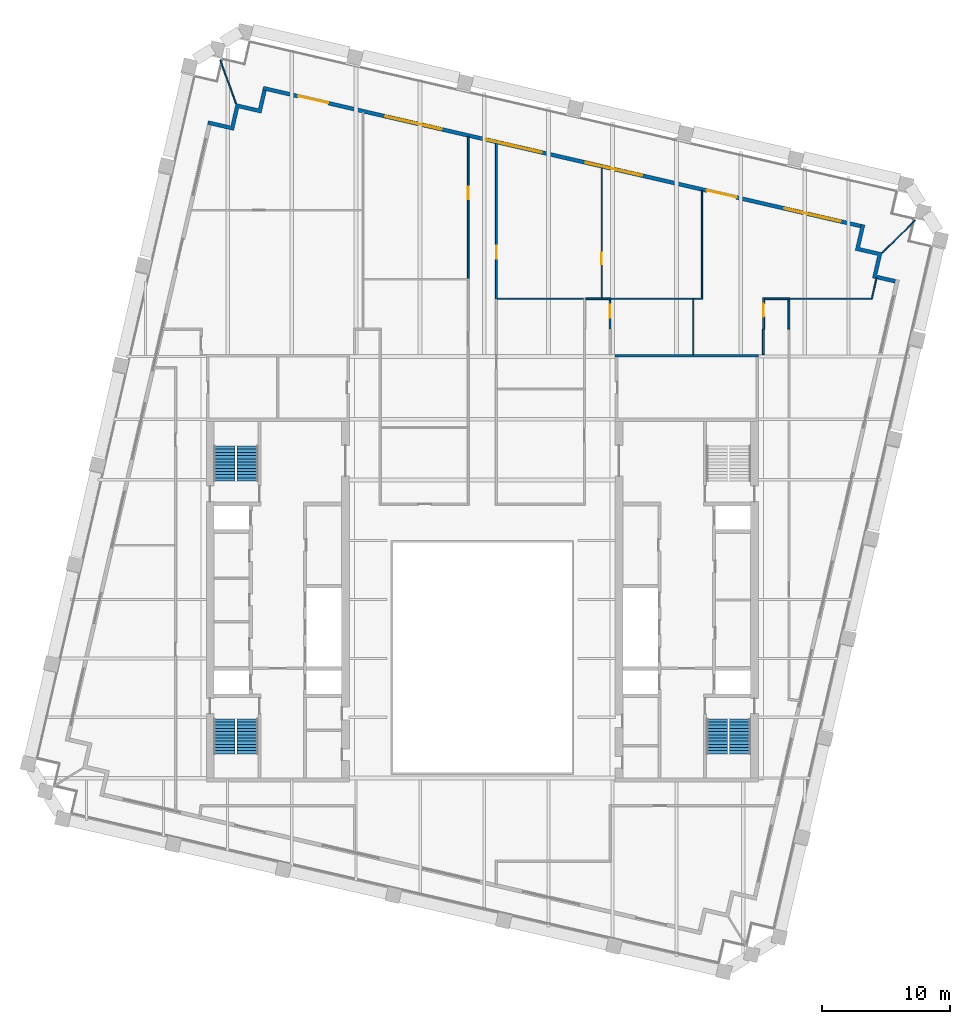
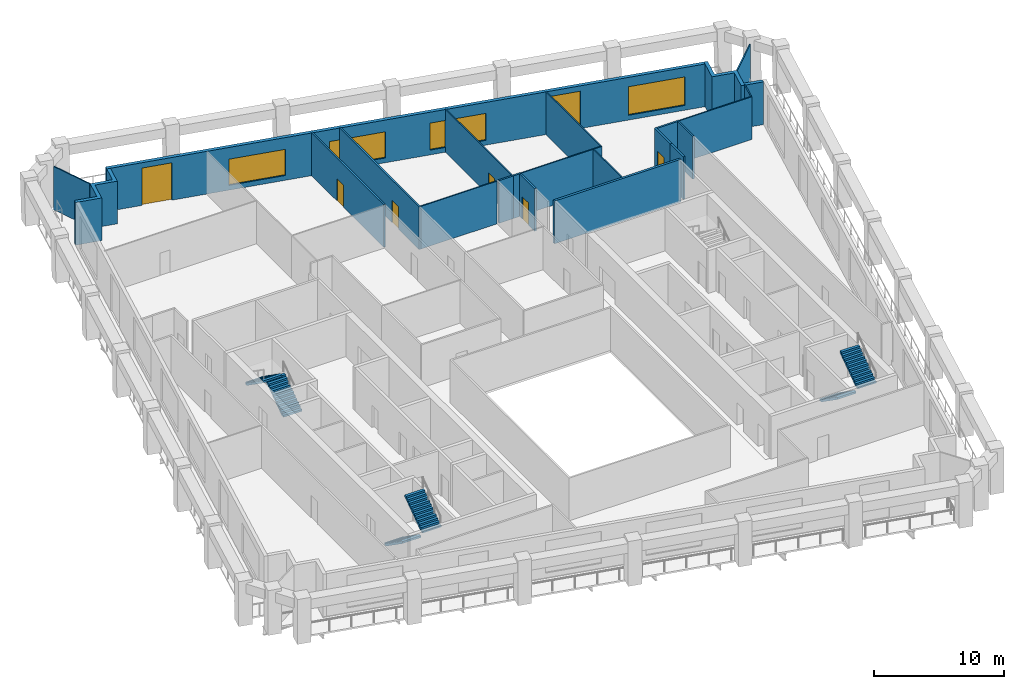
# One storey, part 8 of 10: 23 walls, 7 doors, 6 stair flights, 4 windows, 11 openings, 3 elements without a shape of their own.
"""IFC4 building model written with IfcOpenShell, lengths in metres."""

from ifc_helpers import new_model, si_unit, direction, frame, frame_2d, origin, place, context, subcontext, project, spatial, polyline, rectangle, outline, extrude, material, layer, layer_set, type_object, element, fill, aggregate, save


model = new_model("IFC4")

# Units and contexts
model_context = context("Model", 3, precision=1e-05, world=origin(), true_north=direction((0.0, 1.0)))
body_context = subcontext(model_context, "Body", "Model", "MODEL_VIEW")
ifc_project = project(units=[si_unit("LENGTHUNIT", "METRE"), si_unit("AREAUNIT", "SQUARE_METRE"), si_unit("VOLUMEUNIT", "CUBIC_METRE"), si_unit("PLANEANGLEUNIT", "RADIAN"), si_unit("MASSUNIT", "GRAM", prefix="KILO")], contexts=[model_context])

# Site, building, storey
site_placement = place(None, origin())
site = spatial("IfcSite", under=ifc_project, at=site_placement, CompositionType="ELEMENT")
building_placement = place(site_placement, origin())
building = spatial("IfcBuilding", under=site, at=building_placement, Name="Ogive Exchange Tower", CompositionType="ELEMENT")
storey_placement = place(building_placement, frame((0.0, 0.0, 251.39990234375)))
storey = spatial("IfcBuildingStorey", under=building, at=storey_placement, Name="L54", CompositionType="ELEMENT", Elevation=251.39990234375)

# Wall, opening, door
ifc_material_1 = material(Name="Fire partition EI 60 150")
ifc_layer_1 = layer(ifc_material_1, 0.14990234375)
ifc_layer_set_1 = layer_set([ifc_layer_1], Name="Fire partition EI 60 150")
wall_type_1 = type_object("IfcWallType", Name="Fire partition EI 60 150", PredefinedType="PARTITIONING", material=ifc_layer_set_1)
wall_1_placement = place(storey_placement, frame((-1.10009765625, 36.639892578125, 0.0), z_axis=(0.0, 0.0, 1.0), x_axis=(0.0, 1.0, 0.0)))
wall_1 = element("IfcWall", 1, at=wall_1_placement, inside=storey, type_object=wall_type_1, Name="L54-PWL-026", PredefinedType="PARTITIONING", context=body_context, shape_type="SweptSolid", body=[
    extrude(rectangle(XDim=11.13818359375, YDim=0.14990234375, at=frame_2d((5.569091796875, 0.0))), origin(), (0.0, 0.0, 1.0), 4.0),
])
opening_1_placement = place(wall_1_placement, frame((6.2099609375, 0.0, 0.0)))
opening_1 = element("IfcOpeningElement", 2, at=opening_1_placement, cuts=wall_1, Name="Opening L54-I03", PredefinedType="OPENING", context=body_context, shape_type="SweptSolid", body=[
    extrude(rectangle(XDim=1.0, YDim=2.10009765625, at=frame_2d((0.5, 1.050048828125))), frame((0.0, 0.0849609375, 0.0), z_axis=(0.0, -1.0, 0.0), x_axis=(1.0, 0.0, 0.0)), (0.0, 0.0, 1.0), 0.169921875),
])
ifc_material_2 = material(Name="Fire door FD 30S 1000 x 2100")
door_type_1 = type_object("IfcDoorType", Name="Fire door FD 30S 1000 x 2100", OperationType="NOTDEFINED", PredefinedType="DOOR", material=ifc_material_2)
door_1_placement = place(opening_1_placement, origin())
door_1 = element("IfcDoor", 3, at=door_1_placement, inside=storey, type_object=door_type_1, Name="L54-IDR-003", ObjectType="DT3", OperationType="SINGLE_SWING_RIGHT", OverallHeight=2.10009765625, OverallWidth=1.0, PredefinedType="DOOR", context=body_context, shape_type="SweptSolid", body=[
    extrude(rectangle(XDim=1.0, YDim=2.10009765625, at=frame_2d((0.5, 1.050048828125))), frame((0.0, 0.02490234375, 0.0), z_axis=(0.0, -1.0, 0.0), x_axis=(1.0, 0.0, 0.0)), (0.0, 0.0, 1.0), 0.050048828125),
])
fill(opening_1, door_1)

wall_2_placement = place(storey_placement, frame((1.10009765625, 47.27001953125, 0.0), z_axis=(0.0, 0.0, 1.0), x_axis=(0.0, -1.0, 0.0)))
wall_2 = element("IfcWall", 4, at=wall_2_placement, inside=storey, type_object=wall_type_1, Name="L54-PWL-032", PredefinedType="PARTITIONING", context=body_context, shape_type="SweptSolid", body=[
    extrude(rectangle(XDim=12.25, YDim=0.14990234375, at=frame_2d((6.125, 0.0))), origin(), (0.0, 0.0, 1.0), 4.0),
])
opening_2_placement = place(wall_2_placement, frame((8.050048828125, 0.0, 0.0)))
opening_2 = element("IfcOpeningElement", 5, at=opening_2_placement, cuts=wall_2, Name="Opening L54-I09", PredefinedType="OPENING", context=body_context, shape_type="SweptSolid", body=[
    extrude(rectangle(XDim=1.0, YDim=2.10009765625, at=frame_2d((0.5, 1.050048828125))), frame((0.0, 0.0849609375, 0.0), z_axis=(0.0, -1.0, 0.0), x_axis=(1.0, 0.0, 0.0)), (0.0, 0.0, 1.0), 0.169921875),
])
door_2_placement = place(opening_2_placement, origin())
door_2 = element("IfcDoor", 6, at=door_2_placement, inside=storey, type_object=door_type_1, Name="L54-IDR-009", ObjectType="DT3", OperationType="SINGLE_SWING_LEFT", OverallHeight=2.10009765625, OverallWidth=1.0, PredefinedType="DOOR", context=body_context, shape_type="SweptSolid", body=[
    extrude(rectangle(XDim=1.0, YDim=2.10009765625, at=frame_2d((0.5, 1.050048828125))), frame((0.0, 0.02490234375, 0.0), z_axis=(0.0, -1.0, 0.0), x_axis=(1.0, 0.0, 0.0)), (0.0, 0.0, 1.0), 0.050048828125),
])
fill(opening_2, door_2)

# Walls
wall_3_placement = place(storey_placement, frame((8.0849609375, 35.070068359375, 0.0), z_axis=(0.0, 0.0, 1.0), x_axis=(1.0, 0.0, 0.0)))
element("IfcWall", 7, at=wall_3_placement, inside=storey, type_object=wall_type_1, Name="L54-PWL-037", PredefinedType="PARTITIONING", context=body_context, shape_type="SweptSolid", body=[
    extrude(rectangle(XDim=1.304931640625, YDim=0.14990234375, at=frame_2d((0.65234375, 0.0))), origin(), (0.0, 0.0, 1.0), 4.0),
])
wall_4_placement = place(storey_placement, frame((9.389892578125, 35.070068359375, 0.0), z_axis=(0.0, 0.0, 1.0), x_axis=(1.0, 0.0, 0.0)))
element("IfcWall", 8, at=wall_4_placement, inside=storey, type_object=wall_type_1, Name="L54-PWL-038", PredefinedType="PARTITIONING", context=body_context, shape_type="SweptSolid", body=[
    extrude(rectangle(XDim=0.675048828125, YDim=0.14990234375, at=frame_2d((0.33740234375, 0.0))), origin(), (0.0, 0.0, 1.0), 4.0),
])

# Wall, opening, door
wall_5_placement = place(storey_placement, frame((9.989990234375, 34.9951171875, 0.0), z_axis=(0.0, 0.0, 1.0), x_axis=(0.0, -1.0, 0.0)))
wall_5 = element("IfcWall", 9, at=wall_5_placement, inside=storey, type_object=wall_type_1, Name="L54-PWL-040", PredefinedType="PARTITIONING", context=body_context, shape_type="SweptSolid", body=[
    extrude(rectangle(XDim=2.295166015625, YDim=0.14990234375, at=frame_2d((1.1474609375, 0.0))), origin(), (0.0, 0.0, 1.0), 4.0),
])
opening_3_placement = place(wall_5_placement, frame((0.39501953125, 0.0, 0.0)))
opening_3 = element("IfcOpeningElement", 10, at=opening_3_placement, cuts=wall_5, Name="Opening L54-I11", PredefinedType="OPENING", context=body_context, shape_type="SweptSolid", body=[
    extrude(rectangle(XDim=1.0, YDim=2.10009765625, at=frame_2d((0.5, 1.050048828125))), frame((0.0, 0.0849609375, 0.0), z_axis=(0.0, -1.0, 0.0), x_axis=(1.0, 0.0, 0.0)), (0.0, 0.0, 1.0), 0.169921875),
])
door_3_placement = place(opening_3_placement, origin())
door_3 = element("IfcDoor", 11, at=door_3_placement, inside=storey, type_object=door_type_1, Name="L54-IDR-011", ObjectType="DT3", OperationType="SINGLE_SWING_RIGHT", OverallHeight=2.10009765625, OverallWidth=1.0, PredefinedType="DOOR", context=body_context, shape_type="SweptSolid", body=[
    extrude(rectangle(XDim=1.0, YDim=2.10009765625, at=frame_2d((0.5, 1.050048828125))), frame((0.0, 0.02490234375, 0.0), z_axis=(0.0, -1.0, 0.0), x_axis=(1.0, 0.0, 0.0)), (0.0, 0.0, 1.0), 0.050048828125),
])
fill(opening_3, door_3)

# Wall
wall_6_placement = place(storey_placement, frame((22.0, 30.68994140625, 0.0), z_axis=(0.0, 0.0, 1.0), x_axis=(0.0, 1.0, 0.0)))
element("IfcWall", 12, at=wall_6_placement, inside=storey, type_object=wall_type_1, Name="L54-PWL-048", PredefinedType="PARTITIONING", context=body_context, shape_type="SweptSolid", body=[
    extrude(rectangle(XDim=2.010009765625, YDim=0.14990234375, at=frame_2d((1.0048828125, 0.0))), origin(), (0.0, 0.0, 1.0), 4.0),
])

# Wall, opening, door
wall_7_placement = place(storey_placement, frame((22.010009765625, 32.699951171875, 0.0), z_axis=(0.0, 0.0, 1.0), x_axis=(0.0, 1.0, 0.0)))
wall_7 = element("IfcWall", 13, at=wall_7_placement, inside=storey, type_object=wall_type_1, Name="L54-PWL-049", PredefinedType="PARTITIONING", context=body_context, shape_type="SweptSolid", body=[
    extrude(rectangle(XDim=2.445068359375, YDim=0.14990234375, at=frame_2d((1.22265625, 0.0))), origin(), (0.0, 0.0, 1.0), 4.0),
])
opening_4_placement = place(wall_7_placement, frame((0.969970703125, 0.0, 0.0)))
opening_4 = element("IfcOpeningElement", 14, at=opening_4_placement, cuts=wall_7, Name="Opening L54-I14", PredefinedType="OPENING", context=body_context, shape_type="SweptSolid", body=[
    extrude(rectangle(XDim=1.0, YDim=2.10009765625, at=frame_2d((0.5, 1.050048828125))), frame((0.0, 0.0849609375, 0.0), z_axis=(0.0, -1.0, 0.0), x_axis=(1.0, 0.0, 0.0)), (0.0, 0.0, 1.0), 0.169921875),
])
door_4_placement = place(opening_4_placement, origin())
door_4 = element("IfcDoor", 15, at=door_4_placement, inside=storey, type_object=door_type_1, Name="L54-IDR-014", ObjectType="DT3", OperationType="SINGLE_SWING_RIGHT", OverallHeight=2.10009765625, OverallWidth=1.0, PredefinedType="DOOR", context=body_context, shape_type="SweptSolid", body=[
    extrude(rectangle(XDim=1.0, YDim=2.10009765625, at=frame_2d((0.5, 1.050048828125))), frame((0.0, 0.02490234375, 0.0), z_axis=(0.0, -1.0, 0.0), x_axis=(1.0, 0.0, 0.0)), (0.0, 0.0, 1.0), 0.050048828125),
])
fill(opening_4, door_4)

# Walls
wall_8_placement = place(storey_placement, frame((22.0849609375, 35.070068359375, 0.0), z_axis=(0.0, 0.0, 1.0), x_axis=(1.0, 0.0, 0.0)))
element("IfcWall", 16, at=wall_8_placement, inside=storey, type_object=wall_type_1, Name="L54-PWL-050", PredefinedType="PARTITIONING", context=body_context, shape_type="SweptSolid", body=[
    extrude(rectangle(XDim=1.97998046875, YDim=0.14990234375, at=frame_2d((0.989990234375, 0.0))), origin(), (0.0, 0.0, 1.0), 4.0),
])
wall_9_placement = place(storey_placement, frame((23.989990234375, 34.9951171875, 0.0), z_axis=(0.0, 0.0, 1.0), x_axis=(0.0, -1.0, 0.0)))
element("IfcWall", 17, at=wall_9_placement, inside=storey, type_object=wall_type_1, Name="L54-PWL-052", PredefinedType="PARTITIONING", context=body_context, shape_type="SweptSolid", body=[
    extrude(rectangle(XDim=2.295166015625, YDim=0.14990234375, at=frame_2d((1.1474609375, 0.0))), origin(), (0.0, 0.0, 1.0), 4.0),
])

# Wall, openings, doors, windows
ifc_material_3 = material(Name="Precast concrete C40/50", Category="concrete")
ifc_layer_2 = layer(ifc_material_3, 0.300048828125)
ifc_layer_set_2 = layer_set([ifc_layer_2], Name="Limestone-faced wall 300")
wall_type_2 = type_object("IfcWallType", Name="Limestone-faced wall 300", PredefinedType="STANDARD", material=ifc_layer_set_2)
wall_10_placement = place(storey_placement, frame((29.6162109375, 40.75830078125, 0.0), z_axis=(0.0, 0.0, 1.0), x_axis=(-0.974370532314, 0.224949029246, 0.0)))
wall_10 = element("IfcWall", 18, at=wall_10_placement, inside=storey, type_object=wall_type_2, Name="External wall N3", PredefinedType="STANDARD", context=body_context, shape_type="SweptSolid", body=[
    extrude(rectangle(XDim=48.000244140625, YDim=0.300048828125, at=frame_2d((24.0, 0.0))), origin(), (0.0, 0.0, 1.0), 4.0),
])
opening_5_placement = place(wall_10_placement, frame((1.625, 0.0, 0.449951171875)))
opening_5 = element("IfcOpeningElement", 19, at=opening_5_placement, cuts=wall_10, Name="Opening W1J", PredefinedType="OPENING", context=body_context, shape_type="SweptSolid", body=[
    extrude(rectangle(XDim=4.5, YDim=2.675048828125, at=frame_2d((2.25, 1.33740234375))), frame((0.0, 0.159912109375, 0.0), z_axis=(0.0, -1.0, 0.0), x_axis=(1.0, 0.0, 0.0)), (0.0, 0.0, 1.0), 0.320068359375),
])
opening_6_placement = place(wall_10_placement, frame((9.97509765625, 0.0, 0.0)))
opening_6 = element("IfcOpeningElement", 20, at=opening_6_placement, cuts=wall_10, Name="Opening D1", PredefinedType="OPENING", context=body_context, shape_type="SweptSolid", body=[
    extrude(rectangle(XDim=2.39990234375, YDim=3.5, at=frame_2d((1.199951171875, 1.75))), frame((0.0, 0.159912109375, 0.0), z_axis=(0.0, -1.0, 0.0), x_axis=(1.0, 0.0, 0.0)), (0.0, 0.0, 1.0), 0.320068359375),
])
opening_7_placement = place(wall_10_placement, frame((17.574951171875, 0.0, 0.449951171875)))
opening_7 = element("IfcOpeningElement", 21, at=opening_7_placement, cuts=wall_10, Name="Opening W1N", PredefinedType="OPENING", context=body_context, shape_type="SweptSolid", body=[
    extrude(rectangle(XDim=4.5, YDim=2.52490234375, at=frame_2d((2.25, 1.262451171875))), frame((0.0, 0.159912109375, 0.0), z_axis=(0.0, -1.0, 0.0), x_axis=(1.0, 0.0, 0.0)), (0.0, 0.0, 1.0), 0.320068359375),
])
opening_8_placement = place(wall_10_placement, frame((25.625, 0.0, 0.449951171875)))
opening_8 = element("IfcOpeningElement", 22, at=opening_8_placement, cuts=wall_10, Name="Opening W1Q", PredefinedType="OPENING", context=body_context, shape_type="SweptSolid", body=[
    extrude(rectangle(XDim=4.5, YDim=2.449951171875, at=frame_2d((2.25, 1.22509765625))), frame((0.0, 0.159912109375, 0.0), z_axis=(0.0, -1.0, 0.0), x_axis=(1.0, 0.0, 0.0)), (0.0, 0.0, 1.0), 0.320068359375),
])
opening_9_placement = place(wall_10_placement, frame((33.675048828125, 0.0, 0.449951171875)))
opening_9 = element("IfcOpeningElement", 23, at=opening_9_placement, cuts=wall_10, Name="Opening W1Q", PredefinedType="OPENING", context=body_context, shape_type="SweptSolid", body=[
    extrude(rectangle(XDim=4.5, YDim=2.449951171875, at=frame_2d((2.25, 1.22509765625))), frame((0.0, 0.159912109375, 0.0), z_axis=(0.0, -1.0, 0.0), x_axis=(1.0, 0.0, 0.0)), (0.0, 0.0, 1.0), 0.320068359375),
])
opening_10_placement = place(wall_10_placement, frame((42.77490234375, 0.0, 0.0)))
opening_10 = element("IfcOpeningElement", 24, at=opening_10_placement, cuts=wall_10, Name="Opening D1", PredefinedType="OPENING", context=body_context, shape_type="SweptSolid", body=[
    extrude(rectangle(XDim=2.39990234375, YDim=3.5, at=frame_2d((1.199951171875, 1.75))), frame((0.0, 0.159912109375, 0.0), z_axis=(0.0, -1.0, 0.0), x_axis=(1.0, 0.0, 0.0)), (0.0, 0.0, 1.0), 0.320068359375),
])
ifc_material_4 = material(Name="Clear glass in bronze frame", Category="glass")
door_type_2 = type_object("IfcDoorType", Name="Sliding loggia door 2400 x 3500", OperationType="DOUBLE_DOOR_SLIDING", PredefinedType="DOOR", material=ifc_material_4)
door_5_placement = place(opening_6_placement, origin())
door_5 = element("IfcDoor", 25, at=door_5_placement, inside=storey, type_object=door_type_2, Name="Loggia door N01", OperationType="DOUBLE_DOOR_SLIDING", OverallHeight=3.5, OverallWidth=2.39990234375, PredefinedType="DOOR", context=body_context, shape_type="SweptSolid", body=[
    extrude(rectangle(XDim=2.39990234375, YDim=3.5, at=frame_2d((1.199951171875, 1.75))), frame((0.0, 0.02490234375, 0.0), z_axis=(0.0, -1.0, 0.0), x_axis=(1.0, 0.0, 0.0)), (0.0, 0.0, 1.0), 0.050048828125),
])
fill(opening_6, door_5)
door_6_placement = place(opening_10_placement, origin())
door_6 = element("IfcDoor", 26, at=door_6_placement, inside=storey, type_object=door_type_2, Name="Loggia door N05", OperationType="DOUBLE_DOOR_SLIDING", OverallHeight=3.5, OverallWidth=2.39990234375, PredefinedType="DOOR", context=body_context, shape_type="SweptSolid", body=[
    extrude(rectangle(XDim=2.39990234375, YDim=3.5, at=frame_2d((1.199951171875, 1.75))), frame((0.0, 0.02490234375, 0.0), z_axis=(0.0, -1.0, 0.0), x_axis=(1.0, 0.0, 0.0)), (0.0, 0.0, 1.0), 0.050048828125),
])
fill(opening_10, door_6)
window_type_1 = type_object("IfcWindowType", Name="Twin lancet window 4500 x 2450", PartitioningType="DOUBLE_PANEL_VERTICAL", PredefinedType="WINDOW", material=ifc_material_4)
window_1_placement = place(opening_8_placement, origin())
window_1 = element("IfcWindow", 27, at=window_1_placement, inside=storey, type_object=window_type_1, Name="Window N03", OverallHeight=2.449951171875, OverallWidth=4.5, PartitioningType="DOUBLE_PANEL_VERTICAL", PredefinedType="WINDOW", context=body_context, shape_type="SweptSolid", body=[
    extrude(rectangle(XDim=4.5, YDim=2.449951171875, at=frame_2d((2.25, 1.22509765625))), frame((0.0, 0.030029296875, 0.0), z_axis=(0.0, -1.0, 0.0), x_axis=(1.0, 0.0, 0.0)), (0.0, 0.0, 1.0), 0.06005859375),
])
fill(opening_8, window_1)
window_2_placement = place(opening_9_placement, origin())
window_2 = element("IfcWindow", 28, at=window_2_placement, inside=storey, type_object=window_type_1, Name="Window N04", OverallHeight=2.449951171875, OverallWidth=4.5, PartitioningType="DOUBLE_PANEL_VERTICAL", PredefinedType="WINDOW", context=body_context, shape_type="SweptSolid", body=[
    extrude(rectangle(XDim=4.5, YDim=2.449951171875, at=frame_2d((2.25, 1.22509765625))), frame((0.0, 0.030029296875, 0.0), z_axis=(0.0, -1.0, 0.0), x_axis=(1.0, 0.0, 0.0)), (0.0, 0.0, 1.0), 0.06005859375),
])
fill(opening_9, window_2)
window_type_2 = type_object("IfcWindowType", Name="Twin lancet window 4500 x 2525", PartitioningType="DOUBLE_PANEL_VERTICAL", PredefinedType="WINDOW", material=ifc_material_4)
window_3_placement = place(opening_7_placement, origin())
window_3 = element("IfcWindow", 29, at=window_3_placement, inside=storey, type_object=window_type_2, Name="Window N02", OverallHeight=2.52490234375, OverallWidth=4.5, PartitioningType="DOUBLE_PANEL_VERTICAL", PredefinedType="WINDOW", context=body_context, shape_type="SweptSolid", body=[
    extrude(rectangle(XDim=4.5, YDim=2.52490234375, at=frame_2d((2.25, 1.262451171875))), frame((0.0, 0.030029296875, 0.0), z_axis=(0.0, -1.0, 0.0), x_axis=(1.0, 0.0, 0.0)), (0.0, 0.0, 1.0), 0.06005859375),
])
fill(opening_7, window_3)
window_type_3 = type_object("IfcWindowType", Name="Twin lancet window 4500 x 2675", PartitioningType="DOUBLE_PANEL_VERTICAL", PredefinedType="WINDOW", material=ifc_material_4)
window_4_placement = place(opening_5_placement, origin())
window_4 = element("IfcWindow", 30, at=window_4_placement, inside=storey, type_object=window_type_3, Name="Window N00", OverallHeight=2.675048828125, OverallWidth=4.5, PartitioningType="DOUBLE_PANEL_VERTICAL", PredefinedType="WINDOW", context=body_context, shape_type="SweptSolid", body=[
    extrude(rectangle(XDim=4.5, YDim=2.675048828125, at=frame_2d((2.25, 1.33740234375))), frame((0.0, 0.030029296875, 0.0), z_axis=(0.0, -1.0, 0.0), x_axis=(1.0, 0.0, 0.0)), (0.0, 0.0, 1.0), 0.06005859375),
])
fill(opening_5, window_4)

# Walls
wall_11_placement = place(storey_placement, origin())
element("IfcWall", 31, at=wall_11_placement, inside=storey, type_object=wall_type_2, Name="External corner wall C2", PredefinedType="STANDARD", context=body_context, shape_type="SweptSolid", body=[
    extrude(outline(polyline([(30.931396484375, 38.453369140625), (29.177490234375, 38.8583984375), (29.64990234375, 40.904541015625), (29.942138671875, 40.8369140625), (29.537109375, 39.0830078125), (31.291015625, 38.67822265625), (30.88623046875, 36.92431640625), (32.34765625, 36.5869140625), (32.2802734375, 36.294677734375), (30.5263671875, 36.699462890625), (30.931396484375, 38.453369140625)])), origin(), (0.0, 0.0, 1.0), 4.0),
])
wall_12_placement = place(storey_placement, origin())
element("IfcWall", 32, at=wall_12_placement, inside=storey, type_object=wall_type_2, Name="External corner wall C3", PredefinedType="STANDARD", context=body_context, shape_type="SweptSolid", body=[
    extrude(outline(polyline([(-21.5048828125, 48.7119140625), (-21.4375, 49.004150390625), (-19.68359375, 48.599365234375), (-19.27880859375, 50.353271484375), (-17.52490234375, 49.9482421875), (-17.1875, 51.409912109375), (-16.89501953125, 51.34228515625), (-17.300048828125, 49.58837890625), (-19.053955078125, 49.993408203125), (-19.458740234375, 48.239501953125), (-21.5048828125, 48.7119140625)])), origin(), (0.0, 0.0, 1.0), 4.0),
])
ifc_material_5 = material(Name="Laminated safety glass in steel frame", Category="steel")
ifc_layer_3 = layer(ifc_material_5, 0.10009765625)
ifc_layer_set_3 = layer_set([ifc_layer_3], Name="Loggia end screen 100")
wall_type_3 = type_object("IfcWallType", Name="Loggia end screen 100", PredefinedType="STANDARD", material=ifc_layer_set_3)
wall_13_placement = place(storey_placement, frame((31.291015625, 38.67822265625, -0.0498046875), z_axis=(0.0, 0.0, 1.0), x_axis=(0.718212839418, 0.695823481419, 0.0)))
element("IfcWall", 33, at=wall_13_placement, inside=storey, type_object=wall_type_3, Name="Loggia end screen C2", PredefinedType="STANDARD", context=body_context, shape_type="SweptSolid", body=[
    extrude(rectangle(XDim=3.6201171875, YDim=0.10009765625, at=frame_2d((1.81005859375, 0.0))), origin(), (0.0, 0.0, 1.0), 4.0498046875),
])
wall_14_placement = place(storey_placement, frame((-19.27880859375, 50.353271484375, -0.0498046875), z_axis=(0.0, 0.0, 1.0), x_axis=(-0.340464729294, 0.94025728825, 0.0)))
element("IfcWall", 34, at=wall_14_placement, inside=storey, type_object=wall_type_3, Name="Loggia end screen C3", PredefinedType="STANDARD", context=body_context, shape_type="SweptSolid", body=[
    extrude(rectangle(XDim=3.619873046875, YDim=0.10009765625, at=frame_2d((1.81005859375, 0.0))), origin(), (0.0, 0.0, 1.0), 4.0498046875),
])
ifc_material_6 = material(Name="Partition 100 gypsum")
ifc_layer_4 = layer(ifc_material_6, 0.10009765625)
ifc_layer_set_4 = layer_set([ifc_layer_4], Name="Partition 100 gypsum")
wall_type_4 = type_object("IfcWallType", Name="Partition 100 gypsum", PredefinedType="PARTITIONING", material=ifc_layer_set_4)
wall_15_placement = place(storey_placement, frame((7.93505859375, 35.070068359375, 0.0), z_axis=(0.0, 0.0, 1.0), x_axis=(-1.0, 0.0, 0.0)))
element("IfcWall", 35, at=wall_15_placement, inside=storey, type_object=wall_type_4, Name="L54-PWL-036", PredefinedType="PARTITIONING", context=body_context, shape_type="SweptSolid", body=[
    extrude(rectangle(XDim=6.760009765625, YDim=0.10009765625, at=frame_2d((3.3798828125, 0.0))), origin(), (0.0, 0.0, 1.0), 4.0),
])

# Wall, opening, door
wall_16_placement = place(storey_placement, frame((9.340087890625, 45.367919921875, 0.0), z_axis=(0.0, 0.0, 1.0), x_axis=(0.0, -1.0, 0.0)))
wall_16 = element("IfcWall", 36, at=wall_16_placement, inside=storey, type_object=wall_type_4, Name="L54-PWL-039", PredefinedType="PARTITIONING", context=body_context, shape_type="SweptSolid", body=[
    extrude(rectangle(XDim=10.222900390625, YDim=0.10009765625, at=frame_2d((5.111328125, 0.0))), origin(), (0.0, 0.0, 1.0), 4.0),
])
opening_11_placement = place(wall_16_placement, frame((6.697998046875, 0.0, 0.0)))
opening_11 = element("IfcOpeningElement", 37, at=opening_11_placement, cuts=wall_16, Name="Opening L54-I13", PredefinedType="OPENING", context=body_context, shape_type="SweptSolid", body=[
    extrude(rectangle(XDim=0.89990234375, YDim=2.10009765625, at=frame_2d((0.449951171875, 1.050048828125))), frame((0.0, 0.06005859375, 0.0), z_axis=(0.0, -1.0, 0.0), x_axis=(1.0, 0.0, 0.0)), (0.0, 0.0, 1.0), 0.1201171875),
])
ifc_material_7 = material(Name="Door 900 x 2100")
door_type_3 = type_object("IfcDoorType", Name="Door 900 x 2100", OperationType="NOTDEFINED", PredefinedType="DOOR", material=ifc_material_7)
door_7_placement = place(opening_11_placement, origin())
door_7 = element("IfcDoor", 38, at=door_7_placement, inside=storey, type_object=door_type_3, Name="L54-IDR-013", ObjectType="DT1", OperationType="SINGLE_SWING_LEFT", OverallHeight=2.10009765625, OverallWidth=0.89990234375, PredefinedType="DOOR", context=body_context, shape_type="SweptSolid", body=[
    extrude(rectangle(XDim=0.89990234375, YDim=2.10009765625, at=frame_2d((0.449951171875, 1.050048828125))), frame((0.0, 0.02490234375, 0.0), z_axis=(0.0, -1.0, 0.0), x_axis=(1.0, 0.0, 0.0)), (0.0, 0.0, 1.0), 0.050048828125),
])
fill(opening_11, door_7)

# Walls
wall_17_placement = place(storey_placement, frame((10.06494140625, 35.070068359375, 0.0), z_axis=(0.0, 0.0, 1.0), x_axis=(1.0, 0.0, 0.0)))
element("IfcWall", 39, at=wall_17_placement, inside=storey, type_object=wall_type_4, Name="L54-PWL-041", PredefinedType="PARTITIONING", context=body_context, shape_type="SweptSolid", body=[
    extrude(rectangle(XDim=6.485107421875, YDim=0.10009765625, at=frame_2d((3.24267578125, 0.0))), origin(), (0.0, 0.0, 1.0), 4.0),
])
wall_18_placement = place(storey_placement, frame((16.5, 35.02001953125, 0.0), z_axis=(0.0, 0.0, 1.0), x_axis=(0.0, -1.0, 0.0)))
element("IfcWall", 40, at=wall_18_placement, inside=storey, type_object=wall_type_4, Name="L54-PWL-045", PredefinedType="PARTITIONING", context=body_context, shape_type="SweptSolid", body=[
    extrude(rectangle(XDim=4.320068359375, YDim=0.10009765625, at=frame_2d((2.16015625, 0.0))), origin(), (0.0, 0.0, 1.0), 4.0),
])
wall_19_placement = place(storey_placement, frame((17.239990234375, 35.070068359375, 0.0), z_axis=(0.0, 0.0, 1.0), x_axis=(-1.0, 0.0, 0.0)))
element("IfcWall", 41, at=wall_19_placement, inside=storey, type_object=wall_type_4, Name="L54-PWL-046", PredefinedType="PARTITIONING", context=body_context, shape_type="SweptSolid", body=[
    extrude(rectangle(XDim=0.68994140625, YDim=0.10009765625, at=frame_2d((0.344970703125, 0.0))), origin(), (0.0, 0.0, 1.0), 4.0),
])
wall_20_placement = place(storey_placement, frame((17.18994140625, 43.555908203125, 0.0), z_axis=(0.0, 0.0, 1.0), x_axis=(0.0, -1.0, 0.0)))
element("IfcWall", 42, at=wall_20_placement, inside=storey, type_object=wall_type_4, Name="L54-PWL-047", PredefinedType="PARTITIONING", context=body_context, shape_type="SweptSolid", body=[
    extrude(rectangle(XDim=8.435791015625, YDim=0.10009765625, at=frame_2d((4.2177734375, 0.0))), origin(), (0.0, 0.0, 1.0), 4.0),
])
wall_21_placement = place(storey_placement, frame((24.06494140625, 35.070068359375, 0.0), z_axis=(0.0, 0.0, 1.0), x_axis=(1.0, 0.0, 0.0)))
element("IfcWall", 43, at=wall_21_placement, inside=storey, type_object=wall_type_4, Name="L54-PWL-053", PredefinedType="PARTITIONING", context=body_context, shape_type="SweptSolid", body=[
    extrude(rectangle(XDim=6.465087890625, YDim=0.10009765625, at=frame_2d((3.232421875, 0.0))), origin(), (0.0, 0.0, 1.0), 4.0),
])
wall_22_placement = place(storey_placement, frame((30.490966796875, 35.118896484375, 0.0), z_axis=(0.0, 0.0, 1.0), x_axis=(0.221461033886, 0.975169221453, 0.0)))
element("IfcWall", 44, at=wall_22_placement, inside=storey, type_object=wall_type_4, Name="L54-PWL-056", PredefinedType="PARTITIONING", context=body_context, shape_type="SweptSolid", body=[
    extrude(rectangle(XDim=1.648193359375, YDim=0.10009765625, at=frame_2d((0.82421875, 0.0))), origin(), (0.0, 0.0, 1.0), 4.0),
])
ifc_material_8 = material(Name="Concrete C70/85", Category="concrete")
ifc_layer_5 = layer(ifc_material_8, 0.199951171875)
ifc_layer_set_5 = layer_set([ifc_layer_5], Name="RC core wall 200 C70/85")
wall_type_5 = type_object("IfcWallType", Name="RC core wall 200 C70/85", PredefinedType="SHEAR", material=ifc_layer_set_5)
wall_23_placement = place(storey_placement, frame((10.39990234375, 30.60009765625, 0.0), z_axis=(0.0, 0.0, 1.0), x_axis=(1.0, 0.0, 0.0)))
element("IfcWall", 45, at=wall_23_placement, inside=storey, type_object=wall_type_5, Name="E annex N end wall", PredefinedType="SHEAR", context=body_context, shape_type="SweptSolid", body=[
    extrude(rectangle(XDim=11.2001953125, YDim=0.199951171875, at=frame_2d((5.60009765625, 0.0))), origin(), (0.0, 0.0, 1.0), 4.0),
])

# Stair, stair flights
ifc_material_9 = material(Name="Concrete C40/50", Category="concrete")
stair_type = type_object("IfcStairType", Name="Exit stair 1650 wide", PredefinedType="HALF_TURN_STAIR", material=ifc_material_9)
stair_1_placement = place(storey_placement, origin())
stair_1 = element("IfcStair", 46, at=stair_1_placement, inside=storey, type_object=stair_type, Name="L54 exit stair ST1", PredefinedType="HALF_TURN_STAIR")
stair_flight_type = type_object("IfcStairFlightType", Name="Stair flight 1650 wide", PredefinedType="STRAIGHT", material=ifc_material_9)
stair_flight_1_placement = place(storey_placement, frame((-20.175048828125, 2.199951171875, 0.0), z_axis=(0.0, 0.0, 1.0), x_axis=(0.0, -1.0, 0.0)))
stair_flight_1 = element("IfcStairFlight", 47, at=stair_flight_1_placement, type_object=stair_flight_type, Name="ST1 flight 1", NumberOfRisers=12, NumberOfTreads=11, PredefinedType="STRAIGHT", RiserHeight=0.175, TreadLength=0.25, context=body_context, shape_type="SweptSolid", body=[
    extrude(outline(polyline([(0.0, 0.0), (0.0, 0.175048828125), (0.25, 0.175048828125), (0.25, 0.35009765625), (0.5, 0.35009765625), (0.5, 0.52490234375), (0.75, 0.52490234375), (0.75, 0.699951171875), (1.0, 0.699951171875), (1.0, 0.875), (1.25, 0.875), (1.25, 1.050048828125), (1.5, 1.050048828125), (1.5, 1.22509765625), (1.75, 1.22509765625), (1.75, 1.39990234375), (2.0, 1.39990234375), (2.0, 1.574951171875), (2.25, 1.574951171875), (2.25, 1.75), (2.5, 1.75), (2.5, 1.925048828125), (2.75, 1.925048828125), (2.75, 2.10009765625), (2.75, 1.741943359375), (0.261474609375, 0.0), (0.0, 0.0)])), frame((0.0, 0.824951171875, 0.0), z_axis=(0.0, -1.0, 0.0), x_axis=(1.0, 0.0, 0.0)), (0.0, 0.0, 1.0), 1.64990234375),
])
stair_flight_2_placement = place(storey_placement, frame((-18.375, -0.550048828125, 2.10009765625), z_axis=(0.0, 0.0, 1.0), x_axis=(0.0, 1.0, 0.0)))
stair_flight_2 = element("IfcStairFlight", 48, at=stair_flight_2_placement, type_object=stair_flight_type, Name="ST1 flight 2", NumberOfRisers=12, NumberOfTreads=11, PredefinedType="STRAIGHT", RiserHeight=0.175, TreadLength=0.25, context=body_context, shape_type="SweptSolid", body=[
    extrude(outline(polyline([(0.0, 0.0), (0.0, 0.175048828125), (0.25, 0.175048828125), (0.25, 0.35009765625), (0.5, 0.35009765625), (0.5, 0.52490234375), (0.75, 0.52490234375), (0.75, 0.699951171875), (1.0, 0.699951171875), (1.0, 0.875), (1.25, 0.875), (1.25, 1.050048828125), (1.5, 1.050048828125), (1.5, 1.22509765625), (1.75, 1.22509765625), (1.75, 1.39990234375), (2.0, 1.39990234375), (2.0, 1.574951171875), (2.25, 1.574951171875), (2.25, 1.75), (2.5, 1.75), (2.5, 1.925048828125), (2.75, 1.925048828125), (2.75, 2.10009765625), (2.75, 1.741943359375), (0.261474609375, 0.0), (0.0, 0.0)])), frame((0.0, 0.824951171875, 0.0), z_axis=(0.0, -1.0, 0.0), x_axis=(1.0, 0.0, 0.0)), (0.0, 0.0, 1.0), 1.64990234375),
])
aggregate(stair_1, [stair_flight_1, stair_flight_2])

stair_2_placement = place(storey_placement, origin())
stair_2 = element("IfcStair", 49, at=stair_2_placement, inside=storey, type_object=stair_type, Name="L54 exit stair ST2", PredefinedType="HALF_TURN_STAIR")
stair_flight_3_placement = place(storey_placement, frame((-18.375, 20.800048828125, 0.0), z_axis=(0.0, 0.0, 1.0), x_axis=(0.0, 1.0, 0.0)))
stair_flight_3 = element("IfcStairFlight", 50, at=stair_flight_3_placement, type_object=stair_flight_type, Name="ST2 flight 1", NumberOfRisers=12, NumberOfTreads=11, PredefinedType="STRAIGHT", RiserHeight=0.175, TreadLength=0.25, context=body_context, shape_type="SweptSolid", body=[
    extrude(outline(polyline([(0.0, 0.0), (0.0, 0.175048828125), (0.25, 0.175048828125), (0.25, 0.35009765625), (0.5, 0.35009765625), (0.5, 0.52490234375), (0.75, 0.52490234375), (0.75, 0.699951171875), (1.0, 0.699951171875), (1.0, 0.875), (1.25, 0.875), (1.25, 1.050048828125), (1.5, 1.050048828125), (1.5, 1.22509765625), (1.75, 1.22509765625), (1.75, 1.39990234375), (2.0, 1.39990234375), (2.0, 1.574951171875), (2.25, 1.574951171875), (2.25, 1.75), (2.5, 1.75), (2.5, 1.925048828125), (2.75, 1.925048828125), (2.75, 2.10009765625), (2.75, 1.741943359375), (0.261474609375, 0.0), (0.0, 0.0)])), frame((0.0, 0.824951171875, 0.0), z_axis=(0.0, -1.0, 0.0), x_axis=(1.0, 0.0, 0.0)), (0.0, 0.0, 1.0), 1.64990234375),
])
stair_flight_4_placement = place(storey_placement, frame((-20.175048828125, 23.550048828125, 2.10009765625), z_axis=(0.0, 0.0, 1.0), x_axis=(0.0, -1.0, 0.0)))
stair_flight_4 = element("IfcStairFlight", 51, at=stair_flight_4_placement, type_object=stair_flight_type, Name="ST2 flight 2", NumberOfRisers=12, NumberOfTreads=11, PredefinedType="STRAIGHT", RiserHeight=0.175, TreadLength=0.25, context=body_context, shape_type="SweptSolid", body=[
    extrude(outline(polyline([(0.0, 0.0), (0.0, 0.175048828125), (0.25, 0.175048828125), (0.25, 0.35009765625), (0.5, 0.35009765625), (0.5, 0.52490234375), (0.75, 0.52490234375), (0.75, 0.699951171875), (1.0, 0.699951171875), (1.0, 0.875), (1.25, 0.875), (1.25, 1.050048828125), (1.5, 1.050048828125), (1.5, 1.22509765625), (1.75, 1.22509765625), (1.75, 1.39990234375), (2.0, 1.39990234375), (2.0, 1.574951171875), (2.25, 1.574951171875), (2.25, 1.75), (2.5, 1.75), (2.5, 1.925048828125), (2.75, 1.925048828125), (2.75, 2.10009765625), (2.75, 1.741943359375), (0.261474609375, 0.0), (0.0, 0.0)])), frame((0.0, 0.824951171875, 0.0), z_axis=(0.0, -1.0, 0.0), x_axis=(1.0, 0.0, 0.0)), (0.0, 0.0, 1.0), 1.64990234375),
])
aggregate(stair_2, [stair_flight_3, stair_flight_4])

stair_3_placement = place(storey_placement, origin())
stair_3 = element("IfcStair", 52, at=stair_3_placement, inside=storey, type_object=stair_type, Name="L54 exit stair ST3", PredefinedType="HALF_TURN_STAIR")
stair_flight_5_placement = place(storey_placement, frame((18.375, 2.199951171875, 0.0), z_axis=(0.0, 0.0, 1.0), x_axis=(0.0, -1.0, 0.0)))
stair_flight_5 = element("IfcStairFlight", 53, at=stair_flight_5_placement, type_object=stair_flight_type, Name="ST3 flight 1", NumberOfRisers=12, NumberOfTreads=11, PredefinedType="STRAIGHT", RiserHeight=0.175, TreadLength=0.25, context=body_context, shape_type="SweptSolid", body=[
    extrude(outline(polyline([(0.0, 0.0), (0.0, 0.175048828125), (0.25, 0.175048828125), (0.25, 0.35009765625), (0.5, 0.35009765625), (0.5, 0.52490234375), (0.75, 0.52490234375), (0.75, 0.699951171875), (1.0, 0.699951171875), (1.0, 0.875), (1.25, 0.875), (1.25, 1.050048828125), (1.5, 1.050048828125), (1.5, 1.22509765625), (1.75, 1.22509765625), (1.75, 1.39990234375), (2.0, 1.39990234375), (2.0, 1.574951171875), (2.25, 1.574951171875), (2.25, 1.75), (2.5, 1.75), (2.5, 1.925048828125), (2.75, 1.925048828125), (2.75, 2.10009765625), (2.75, 1.741943359375), (0.261474609375, 0.0), (0.0, 0.0)])), frame((0.0, 0.824951171875, 0.0), z_axis=(0.0, -1.0, 0.0), x_axis=(1.0, 0.0, 0.0)), (0.0, 0.0, 1.0), 1.64990234375),
])
stair_flight_6_placement = place(storey_placement, frame((20.175048828125, -0.550048828125, 2.10009765625), z_axis=(0.0, 0.0, 1.0), x_axis=(0.0, 1.0, 0.0)))
stair_flight_6 = element("IfcStairFlight", 54, at=stair_flight_6_placement, type_object=stair_flight_type, Name="ST3 flight 2", NumberOfRisers=12, NumberOfTreads=11, PredefinedType="STRAIGHT", RiserHeight=0.175, TreadLength=0.25, context=body_context, shape_type="SweptSolid", body=[
    extrude(outline(polyline([(0.0, 0.0), (0.0, 0.175048828125), (0.25, 0.175048828125), (0.25, 0.35009765625), (0.5, 0.35009765625), (0.5, 0.52490234375), (0.75, 0.52490234375), (0.75, 0.699951171875), (1.0, 0.699951171875), (1.0, 0.875), (1.25, 0.875), (1.25, 1.050048828125), (1.5, 1.050048828125), (1.5, 1.22509765625), (1.75, 1.22509765625), (1.75, 1.39990234375), (2.0, 1.39990234375), (2.0, 1.574951171875), (2.25, 1.574951171875), (2.25, 1.75), (2.5, 1.75), (2.5, 1.925048828125), (2.75, 1.925048828125), (2.75, 2.10009765625), (2.75, 1.741943359375), (0.261474609375, 0.0), (0.0, 0.0)])), frame((0.0, 0.824951171875, 0.0), z_axis=(0.0, -1.0, 0.0), x_axis=(1.0, 0.0, 0.0)), (0.0, 0.0, 1.0), 1.64990234375),
])
aggregate(stair_3, [stair_flight_5, stair_flight_6])

save(model, "model.ifc")
